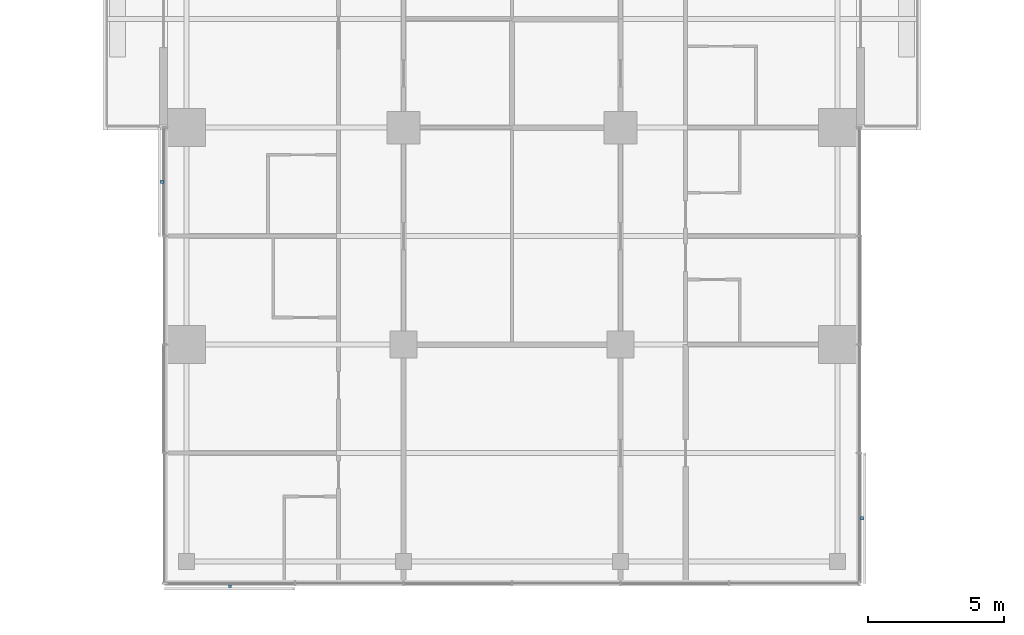
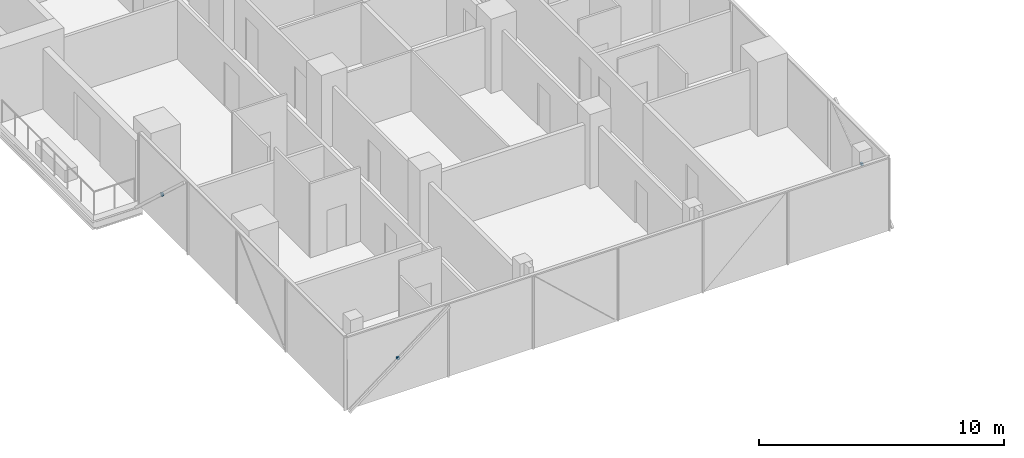
# One storey, part 23 of 27: 3 discrete accessories.
"""IFC4 building model written with IfcOpenShell, lengths in metres."""

import ifcopenshell
import ifcopenshell.guid

model = None  # the IFC model being written
_history = None  # IfcOwnerHistory: only IFC2X3 demands one
_inside = {}  # id of a spatial element -> (the spatial element, [elements in it])
_under = {}  # id of a project, library or spatial element -> (it, [spatial elements below it])
_declared = {}  # id of a project -> (the project, [libraries it declares])
_typed = {}  # id of a type object -> (the type object, [elements of that type])
_made_of = {}  # id of a material, layer set ... -> (it, [elements and type objects made of it])


def new_model(schema):
    """Start an empty IFC model of exactly this schema.

    Asked for "IFC4X3", IfcOpenShell would pick the latest addendum, in which some entities
    have other attributes; the version numbers below select the first issue.
    IFC2X3 requires an IfcOwnerHistory on every rooted entity: one is made here for all.
    """
    global model, _history
    if schema == "IFC4X3":
        model = ifcopenshell.file(schema_version=(4, 3, 0, 0))
    else:
        model = ifcopenshell.file(schema=schema)
    _inside.clear()
    _under.clear()
    _declared.clear()
    _typed.clear()
    _made_of.clear()
    _history = None
    if model.schema == "IFC2X3":
        org = make("IfcOrganization", Name="unknown")
        user = make(
            "IfcPersonAndOrganization",
            ThePerson=make("IfcPerson", FamilyName="unknown"),
            TheOrganization=org,
        )
        app = make(
            "IfcApplication",
            ApplicationDeveloper=org,
            Version="unknown",
            ApplicationFullName="unknown",
            ApplicationIdentifier="unknown",
        )
        _history = make(
            "IfcOwnerHistory",
            OwningUser=user,
            OwningApplication=app,
            ChangeAction="ADDED",
            CreationDate=0,
        )
    return model


def make(cls, **values):
    """One entity of the class cls with the attributes given. An attribute that is None is left unset."""
    return model.create_entity(
        cls, **{name: value for name, value in values.items() if value is not None}
    )


def rooted(cls, **values):
    """An entity with a GlobalId (a new one), such as an element, a storey or a relation."""
    return make(cls, GlobalId=ifcopenshell.guid.new(), OwnerHistory=_history, **values)


def si_unit(unit_type, name, prefix=None):
    """IfcSIUnit, for example si_unit("LENGTHUNIT", "METRE", prefix="MILLI")."""
    return make("IfcSIUnit", UnitType=unit_type, Prefix=prefix, Name=name)


def assignment(units):
    """IfcUnitAssignment: the units of a project."""
    return None if units is None else make("IfcUnitAssignment", Units=units)


def point(xyz):
    """IfcCartesianPoint."""
    return None if xyz is None else make("IfcCartesianPoint", Coordinates=xyz)


def direction(xyz):
    """IfcDirection."""
    return None if xyz is None else make("IfcDirection", DirectionRatios=xyz)


def frame(location, z_axis=None, x_axis=None):
    """IfcAxis2Placement3D, a coordinate frame: its origin and axes. An axis left out is left unset."""
    return make(
        "IfcAxis2Placement3D",
        Location=point(location),
        Axis=direction(z_axis),
        RefDirection=direction(x_axis),
    )


def frame_2d(location, x_axis=None):
    """IfcAxis2Placement2D, a coordinate frame in the plane: its origin and x axis."""
    return make(
        "IfcAxis2Placement2D", Location=point(location), RefDirection=direction(x_axis)
    )


def origin():
    """The frame at (0, 0, 0) with its axes left unset."""
    return frame((0.0, 0.0, 0.0))


def origin_2d():
    """The frame at (0, 0) in the plane with its x axis left unset."""
    return frame_2d((0.0, 0.0))


def place(relative_to, where):
    """IfcLocalPlacement: puts the frame where relative to a parent placement (None: the world)."""
    return make(
        "IfcLocalPlacement", PlacementRelTo=relative_to, RelativePlacement=where
    )


def context(
    kind, dimensions, precision=None, world=None, true_north=None, identifier=None
):
    """IfcGeometricRepresentationContext, for example the 3D "Model" context."""
    return make(
        "IfcGeometricRepresentationContext",
        ContextIdentifier=identifier,
        ContextType=kind,
        CoordinateSpaceDimension=dimensions,
        Precision=precision,
        WorldCoordinateSystem=world,
        TrueNorth=true_north,
    )


def subcontext(parent, identifier, kind, view, scale=None):
    """IfcGeometricRepresentationSubContext, for example "Body" below "Model"."""
    return make(
        "IfcGeometricRepresentationSubContext",
        ContextIdentifier=identifier,
        ContextType=kind,
        ParentContext=parent,
        TargetScale=scale,
        TargetView=view,
    )


def project(units=None, contexts=None):
    """IfcProject with its units and contexts."""
    return rooted(
        "IfcProject",
        Name="project",
        RepresentationContexts=contexts,
        UnitsInContext=assignment(units),
    )


def spatial(cls, under=None, at=None, **own):
    """A site, building, storey or space (cls), placed at a placement, below another one or the project."""
    s = rooted(cls, ObjectPlacement=at, **own)
    if under is not None:
        _under.setdefault(under.id(), (under, []))[1].append(s)
    return s


def profile(cls, at=None, kind="AREA", **sizes):
    """A parametric profile (cls). Its sizes go by their IFC names, for example OverallWidth=200.0."""
    return make(cls, ProfileType=kind, Position=at, **sizes)


def rectangle(**sizes):
    """IfcRectangleProfileDef."""
    return profile("IfcRectangleProfileDef", **sizes)


def extrude(swept, where, along, depth):
    """IfcExtrudedAreaSolid: the profile swept, set in the frame where, extruded along a direction by depth."""
    return make(
        "IfcExtrudedAreaSolid",
        SweptArea=swept,
        Position=where,
        ExtrudedDirection=direction(along),
        Depth=depth,
    )


def shape(context_of_items, identifier, shape_type, items):
    """IfcShapeRepresentation: the items that make up one representation, for example the "Body"."""
    return make(
        "IfcShapeRepresentation",
        ContextOfItems=context_of_items,
        RepresentationIdentifier=identifier,
        RepresentationType=shape_type,
        Items=items,
    )


def material(Name=None, Category=None):
    """IfcMaterial."""
    return make("IfcMaterial", Name=Name, Category=Category)


def made_of(thing, what):
    """Note that an element or type object is made of a material, layer set ...; save() writes the relation."""
    if what is not None:
        _made_of.setdefault(what.id(), (what, []))[1].append(thing)
    return thing


def type_object(cls, material=None, **own):
    """A type object (cls), such as IfcWallType, which elements share."""
    return made_of(rooted(cls, **own), material)


def element(
    cls,
    number,
    at=None,
    inside=None,
    cuts=None,
    type_object=None,
    material=None,
    context=None,
    identifier="Body",
    shape_type=None,
    held_by="IfcProductDefinitionShape",
    body=None,
    shapes=None,
    **own,
):
    """One element of the class cls, such as IfcWall. Its Tag is "e" and its number.

    at: its placement. inside: the storey or other place that contains it. cuts: it is an
    opening in that element (IfcRelVoidsElement). A single representation is given by context,
    identifier, shape_type and body (its items); several are given by shapes. held_by: the class
    of the entity that holds the representations. save() writes the other relations.
    """
    e = rooted(cls, Tag="e%d" % number, ObjectPlacement=at, **own)
    if body is not None:
        shapes = [shape(context, identifier, shape_type, body)]
    if shapes is not None:
        e.Representation = make(held_by, Representations=shapes)
    if inside is not None:
        _inside.setdefault(inside.id(), (inside, []))[1].append(e)
    if cuts is not None:
        rooted(
            "IfcRelVoidsElement", RelatingBuildingElement=cuts, RelatedOpeningElement=e
        )
    if type_object is not None:
        _typed.setdefault(type_object.id(), (type_object, []))[1].append(e)
    return made_of(e, material)


def aggregate(whole, parts):
    """IfcRelAggregates: a whole, such as a stair, and the parts it consists of."""
    return rooted("IfcRelAggregates", RelatingObject=whole, RelatedObjects=parts)


def save(model, path):
    """Write the relations noted so far, then the file.

    IfcRelAggregates (storeys below a building ...), IfcRelContainedInSpatialStructure (elements
    in a storey), IfcRelDefinesByType, IfcRelAssociatesMaterial and IfcRelDeclares: one each for
    every whole, place, type object, material and project.
    """
    for whole, parts in _under.values():
        aggregate(whole, parts)
    for where, things in _inside.values():
        rooted(
            "IfcRelContainedInSpatialStructure",
            RelatedElements=things,
            RelatingStructure=where,
        )
    for kind, things in _typed.values():
        rooted("IfcRelDefinesByType", RelatedObjects=things, RelatingType=kind)
    for what, things in _made_of.values():
        rooted("IfcRelAssociatesMaterial", RelatedObjects=things, RelatingMaterial=what)
    for by, libraries in _declared.values():
        rooted("IfcRelDeclares", RelatingContext=by, RelatedDefinitions=libraries)
    model.write(path)


model = new_model("IFC4")

# Units and contexts
model_context = context("Model", 3, precision=1e-05, world=origin(), true_north=direction((0.0, 1.0)))
body_context = subcontext(model_context, "Body", "Model", "MODEL_VIEW")
ifc_project = project(units=[si_unit("LENGTHUNIT", "METRE"), si_unit("AREAUNIT", "SQUARE_METRE"), si_unit("VOLUMEUNIT", "CUBIC_METRE"), si_unit("PLANEANGLEUNIT", "RADIAN"), si_unit("MASSUNIT", "GRAM", prefix="KILO")], contexts=[model_context])

# Site, building, storey
site_placement = place(None, origin())
site = spatial("IfcSite", under=ifc_project, at=site_placement, CompositionType="ELEMENT")
building_placement = place(site_placement, origin())
building = spatial("IfcBuilding", under=site, at=building_placement, Name="Crosswind Convention Tower", CompositionType="ELEMENT")
storey_placement = place(building_placement, frame((0.0, 0.0, 79.39990234375)))
storey = spatial("IfcBuildingStorey", under=building, at=storey_placement, Name="L14", CompositionType="ELEMENT", Elevation=79.39990234375)

# Discrete accessories
ifc_material = material(Name="Stainless steel", Category="steel")
discrete_accessory_type = type_object("IfcDiscreteAccessoryType", Name="BAGUETTE BRACKET BK2", PredefinedType="BRACKET", material=ifc_material)
for number, where, z_axis, x_axis, name in (
    (1, (112.092041015625, 78.0, 1.4775390625), (0.0, 0.0, 1.0), (0.0, -1.0, 0.0), "BK2 baguette bracket"),
    (2, (114.60009765625, 63.092041015625, 1.4775390625), (0.0, 0.0, 1.0), (1.0, 0.0, 0.0), "BK2 baguette bracket"),
    (3, (137.907958984375, 65.60009765625, 1.4775390625), (0.0, 0.0, 1.0), (0.0, 1.0, 0.0), "BK2 baguette bracket"),
):
    element("IfcDiscreteAccessory", number, at=place(storey_placement, frame(where, z_axis=z_axis, x_axis=x_axis)), inside=storey, type_object=discrete_accessory_type, Name=name, PredefinedType="BRACKET", context=body_context, shape_type="SweptSolid", body=[
        extrude(rectangle(XDim=0.1201171875, YDim=0.10009765625, at=origin_2d()), origin(), (0.0, 0.0, 1.0), 0.1201171875),
    ])

save(model, "model.ifc")
